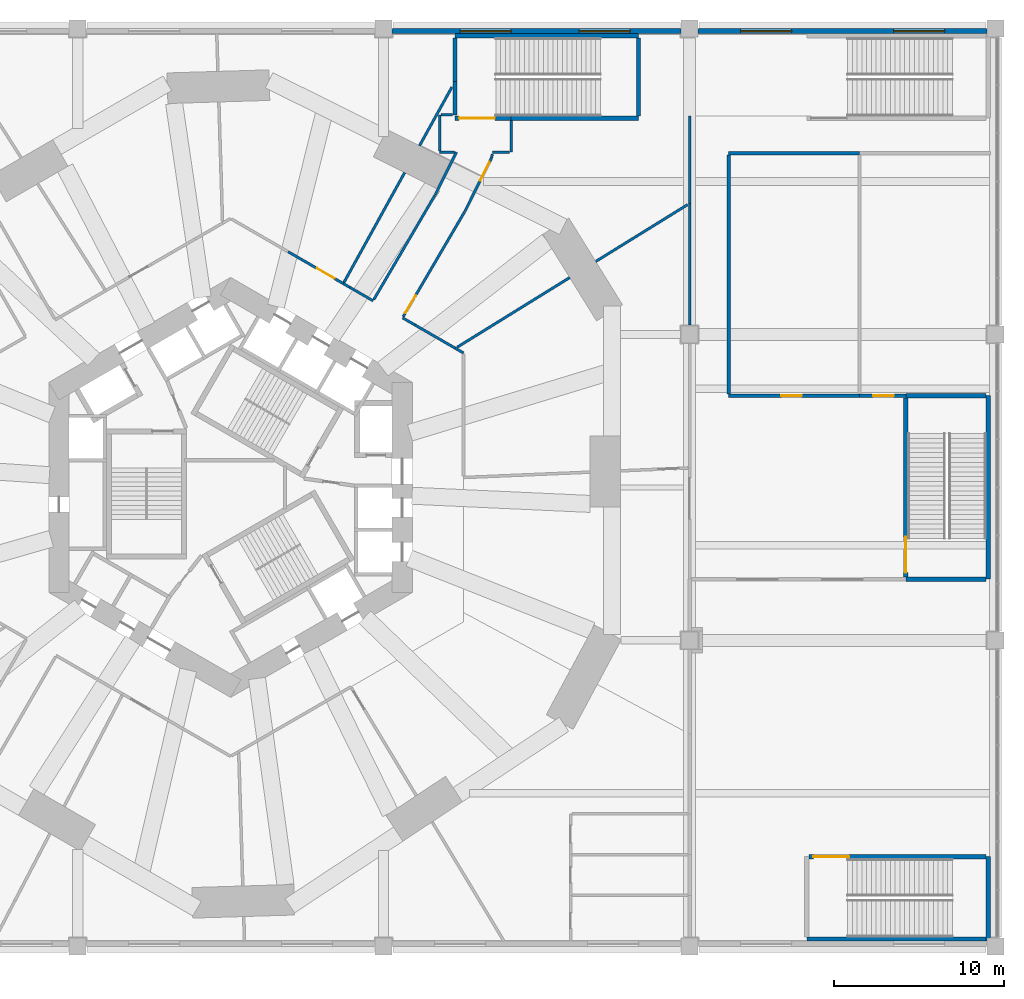
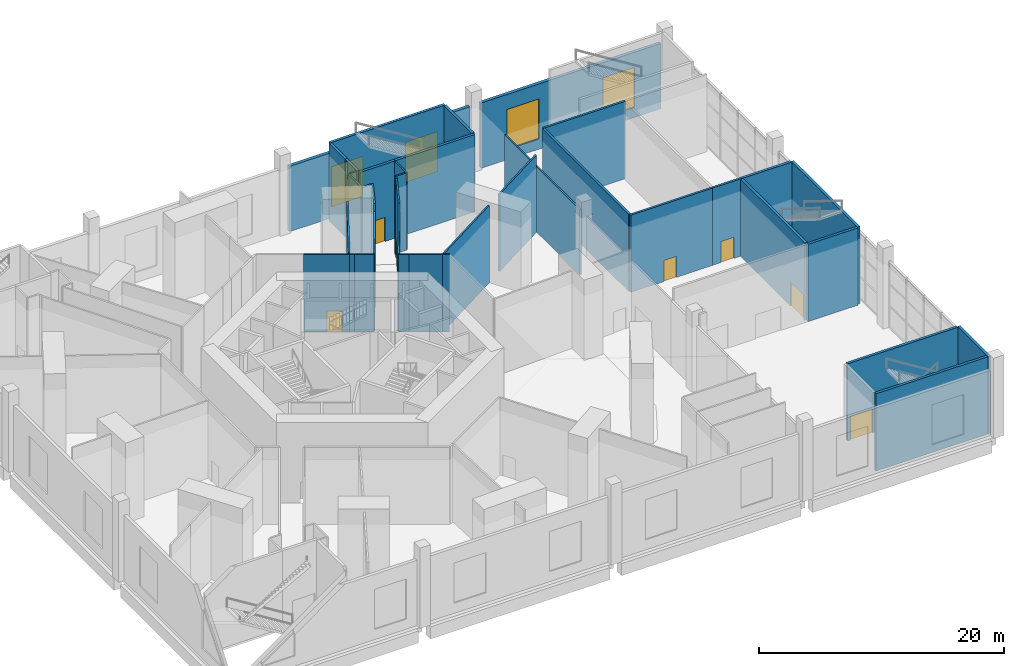
# One storey, part 10 of 15: 41 walls, 8 doors, 4 windows, 12 openings.
"""IFC4 building model written with IfcOpenShell, lengths in metres."""

from ifc_helpers import new_model, si_unit, direction, frame, frame_2d, origin, place, context, subcontext, project, spatial, rectangle, extrude, material, layer, layer_set, type_object, element, fill, save


model = new_model("IFC4")

# Units and contexts
model_context = context("Model", 3, precision=1e-05, world=origin(), true_north=direction((0.0, 1.0)))
body_context = subcontext(model_context, "Body", "Model", "MODEL_VIEW")
ifc_project = project(units=[si_unit("LENGTHUNIT", "METRE"), si_unit("AREAUNIT", "SQUARE_METRE"), si_unit("VOLUMEUNIT", "CUBIC_METRE"), si_unit("PLANEANGLEUNIT", "RADIAN"), si_unit("MASSUNIT", "GRAM", prefix="KILO")], contexts=[model_context])

# Site, building, storey
site_placement = place(None, origin())
site = spatial("IfcSite", under=ifc_project, at=site_placement, CompositionType="ELEMENT")
building_placement = place(site_placement, origin())
building = spatial("IfcBuilding", under=site, at=building_placement, Name="Vanh Sen Convention Tower", CompositionType="ELEMENT")
storey_placement = place(building_placement, frame((0.0, 0.0, 13.0)))
storey = spatial("IfcBuildingStorey", under=building, at=storey_placement, Name="L02", CompositionType="ELEMENT", Elevation=13.0)

# Wall, opening, door
ifc_material_1 = material(Name="Concrete C40/50", Category="concrete")
ifc_layer_1 = layer(ifc_material_1, 0.25)
ifc_layer_set_1 = layer_set([ifc_layer_1], Name="Concrete C40/50")
wall_type_1 = type_object("IfcWallType", Name="Concrete wall 250 REI 180", PredefinedType="SOLIDWALL", material=ifc_layer_set_1)
wall_1_placement = place(storey_placement, frame((34.0400390625, -21.72509765625, 0.0), z_axis=(0.0, 0.0, 1.0), x_axis=(1.0, 0.0, 0.0)))
wall_1 = element("IfcWall", 1, at=wall_1_placement, inside=storey, type_object=wall_type_1, Name="Fire-resisting wall L02-014", PredefinedType="SOLIDWALL", context=body_context, shape_type="SweptSolid", body=[
    extrude(rectangle(XDim=10.39990234375, YDim=0.25, at=frame_2d((5.199951171875, 0.0))), origin(), (0.0, 0.0, 1.0), 7.699951171875),
])
opening_1_placement = place(wall_1_placement, frame((0.25, 0.0, 0.0)))
opening_1 = element("IfcOpeningElement", 2, at=opening_1_placement, cuts=wall_1, Name="Opening D02104", PredefinedType="OPENING", context=body_context, shape_type="SweptSolid", body=[
    extrude(rectangle(XDim=2.10009765625, YDim=2.39990234375, at=frame_2d((1.050048828125, 1.199951171875))), frame((0.0, 0.135009765625, 0.0), z_axis=(0.0, -1.0, 0.0), x_axis=(1.0, 0.0, 0.0)), (0.0, 0.0, 1.0), 0.27001953125),
])
ifc_material_2 = material(Name="Steel S355", Category="steel")
door_type_1 = type_object("IfcDoorType", Name="Stair door 2100 EI 60", OperationType="DOUBLE_DOOR_SINGLE_SWING", PredefinedType="DOOR", material=ifc_material_2)
door_1_placement = place(opening_1_placement, frame((2.10009765625, 0.0, 0.0), z_axis=(0.0, 0.0, 1.0), x_axis=(-1.0, 0.0, 0.0)))
door_1 = element("IfcDoor", 3, at=door_1_placement, inside=storey, type_object=door_type_1, Name="Stair door D02104", OperationType="DOUBLE_DOOR_SINGLE_SWING", OverallHeight=2.39990234375, OverallWidth=2.10009765625, PredefinedType="DOOR", context=body_context, shape_type="SweptSolid", body=[
    extrude(rectangle(XDim=2.10009765625, YDim=2.39990234375, at=frame_2d((1.050048828125, 1.199951171875))), frame((0.0, 0.02490234375, 0.0), z_axis=(0.0, -1.0, 0.0), x_axis=(1.0, 0.0, 0.0)), (0.0, 0.0, 1.0), 0.050048828125),
])
fill(opening_1, door_1)

# Wall
wall_2_placement = place(storey_placement, frame((44.43994140625, -5.39990234375, 0.0), z_axis=(0.0, 0.0, 1.0), x_axis=(-1.0, 0.0, 0.0)))
element("IfcWall", 4, at=wall_2_placement, inside=storey, type_object=wall_type_1, Name="Fire-resisting wall L02-048", PredefinedType="SOLIDWALL", context=body_context, shape_type="SweptSolid", body=[
    extrude(rectangle(XDim=4.71484375, YDim=0.25, at=frame_2d((2.357421875, 0.0))), origin(), (0.0, 0.0, 1.0), 7.699951171875),
])

# Wall, opening, door
wall_3_placement = place(storey_placement, frame((39.72509765625, -5.260009765625, 0.0), z_axis=(0.0, 0.0, 1.0), x_axis=(0.0, 1.0, 0.0)))
wall_3 = element("IfcWall", 5, at=wall_3_placement, inside=storey, type_object=wall_type_1, Name="Fire-resisting wall L02-049", PredefinedType="SOLIDWALL", context=body_context, shape_type="SweptSolid", body=[
    extrude(rectangle(XDim=10.52001953125, YDim=0.25, at=frame_2d((5.260009765625, 0.0))), origin(), (0.0, 0.0, 1.0), 7.699951171875),
])
opening_2_placement = place(wall_3_placement, frame((0.25, 0.0, 0.0)))
opening_2 = element("IfcOpeningElement", 6, at=opening_2_placement, cuts=wall_3, Name="Opening D02114", PredefinedType="OPENING", context=body_context, shape_type="SweptSolid", body=[
    extrude(rectangle(XDim=2.10009765625, YDim=2.39990234375, at=frame_2d((1.050048828125, 1.199951171875))), frame((0.0, 0.135009765625, 0.0), z_axis=(0.0, -1.0, 0.0), x_axis=(1.0, 0.0, 0.0)), (0.0, 0.0, 1.0), 0.27001953125),
])
door_2_placement = place(opening_2_placement, frame((2.10009765625, 0.0, 0.0), z_axis=(0.0, 0.0, 1.0), x_axis=(-1.0, 0.0, 0.0)))
door_2 = element("IfcDoor", 7, at=door_2_placement, inside=storey, type_object=door_type_1, Name="Stair door D02114", OperationType="DOUBLE_DOOR_SINGLE_SWING", OverallHeight=2.39990234375, OverallWidth=2.10009765625, PredefinedType="DOOR", context=body_context, shape_type="SweptSolid", body=[
    extrude(rectangle(XDim=2.10009765625, YDim=2.39990234375, at=frame_2d((1.050048828125, 1.199951171875))), frame((0.0, 0.02490234375, 0.0), z_axis=(0.0, -1.0, 0.0), x_axis=(1.0, 0.0, 0.0)), (0.0, 0.0, 1.0), 0.050048828125),
])
fill(opening_2, door_2)

# Wall
wall_4_placement = place(storey_placement, frame((39.72509765625, 5.39990234375, 0.0), z_axis=(0.0, 0.0, 1.0), x_axis=(1.0, 0.0, 0.0)))
element("IfcWall", 8, at=wall_4_placement, inside=storey, type_object=wall_type_1, Name="Fire-resisting wall L02-058", PredefinedType="SOLIDWALL", context=body_context, shape_type="SweptSolid", body=[
    extrude(rectangle(XDim=4.71484375, YDim=0.25, at=frame_2d((2.357421875, 0.0))), origin(), (0.0, 0.0, 1.0), 7.699951171875),
])

# Wall, opening, door
wall_5_placement = place(storey_placement, frame((16.5, 21.72509765625, 0.0), z_axis=(0.0, 0.0, 1.0), x_axis=(-1.0, 0.0, 0.0)))
wall_5 = element("IfcWall", 9, at=wall_5_placement, inside=storey, type_object=wall_type_1, Name="Fire-resisting wall L02-108", PredefinedType="SOLIDWALL", context=body_context, shape_type="SweptSolid", body=[
    extrude(rectangle(XDim=3.300048828125, YDim=0.25, at=frame_2d((1.64990234375, 0.0))), origin(), (0.0, 0.0, 1.0), 7.699951171875),
])
opening_3_placement = place(wall_5_placement, frame((0.949951171875, 0.0, 0.0)))
opening_3 = element("IfcOpeningElement", 10, at=opening_3_placement, cuts=wall_5, Name="Opening D02125", PredefinedType="OPENING", context=body_context, shape_type="SweptSolid", body=[
    extrude(rectangle(XDim=2.10009765625, YDim=2.39990234375, at=frame_2d((1.050048828125, 1.199951171875))), frame((0.0, 0.135009765625, 0.0), z_axis=(0.0, -1.0, 0.0), x_axis=(1.0, 0.0, 0.0)), (0.0, 0.0, 1.0), 0.27001953125),
])
door_3_placement = place(opening_3_placement, frame((2.10009765625, 0.0, 0.0), z_axis=(0.0, 0.0, 1.0), x_axis=(-1.0, 0.0, 0.0)))
door_3 = element("IfcDoor", 11, at=door_3_placement, inside=storey, type_object=door_type_1, Name="Stair door D02125", OperationType="DOUBLE_DOOR_SINGLE_SWING", OverallHeight=2.39990234375, OverallWidth=2.10009765625, PredefinedType="DOOR", context=body_context, shape_type="SweptSolid", body=[
    extrude(rectangle(XDim=2.10009765625, YDim=2.39990234375, at=frame_2d((1.050048828125, 1.199951171875))), frame((0.0, 0.02490234375, 0.0), z_axis=(0.0, -1.0, 0.0), x_axis=(1.0, 0.0, 0.0)), (0.0, 0.0, 1.0), 0.050048828125),
])
fill(opening_3, door_3)

# Walls
wall_6_placement = place(storey_placement, frame((24.0, 21.72509765625, 0.0), z_axis=(0.0, 0.0, 1.0), x_axis=(-1.0, 0.0, 0.0)))
element("IfcWall", 12, at=wall_6_placement, inside=storey, type_object=wall_type_1, Name="Fire-resisting wall L02-109", PredefinedType="SOLIDWALL", context=body_context, shape_type="SweptSolid", body=[
    extrude(rectangle(XDim=7.5, YDim=0.25, at=frame_2d((3.75, 0.0))), origin(), (0.0, 0.0, 1.0), 7.699951171875),
])
wall_7_placement = place(storey_placement, frame((13.199951171875, 21.925048828125, 0.0), z_axis=(0.0, 0.0, 1.0), x_axis=(0.0, 1.0, 0.0)))
element("IfcWall", 13, at=wall_7_placement, inside=storey, type_object=wall_type_1, Name="Fire-resisting wall L02-114", PredefinedType="SOLIDWALL", context=body_context, shape_type="SweptSolid", body=[
    extrude(rectangle(XDim=1.953369140625, YDim=0.25, at=frame_2d((0.9765625, 0.0))), origin(), (0.0, 0.0, 1.0), 7.699951171875),
])
wall_8_placement = place(storey_placement, frame((13.199951171875, 23.87841796875, 0.0), z_axis=(0.0, 0.0, 1.0), x_axis=(0.0, 1.0, 0.0)))
element("IfcWall", 14, at=wall_8_placement, inside=storey, type_object=wall_type_1, Name="Fire-resisting wall L02-115", PredefinedType="SOLIDWALL", context=body_context, shape_type="SweptSolid", body=[
    extrude(rectangle(XDim=2.5615234375, YDim=0.25, at=frame_2d((1.28076171875, 0.0))), origin(), (0.0, 0.0, 1.0), 7.699951171875),
])
wall_9_placement = place(storey_placement, frame((24.0, 26.43994140625, 0.0), z_axis=(0.0, 0.0, 1.0), x_axis=(0.0, -1.0, 0.0)))
element("IfcWall", 15, at=wall_9_placement, inside=storey, type_object=wall_type_1, Name="Fire-resisting wall L02-119", PredefinedType="SOLIDWALL", context=body_context, shape_type="SweptSolid", body=[
    extrude(rectangle(XDim=4.574951171875, YDim=0.25, at=frame_2d((2.28759765625, 0.0))), origin(), (0.0, 0.0, 1.0), 7.699951171875),
])
wall_10_placement = place(storey_placement, frame((44.574951171875, -21.72509765625, 0.0), z_axis=(0.0, 0.0, 1.0), x_axis=(0.0, -1.0, 0.0)))
element("IfcWall", 16, at=wall_10_placement, inside=storey, type_object=wall_type_1, Name="Stair enclosure wall PS2 L02", PredefinedType="SOLIDWALL", context=body_context, shape_type="SweptSolid", body=[
    extrude(rectangle(XDim=4.974853515625, YDim=0.25, at=frame_2d((2.4873046875, 0.0))), origin(), (0.0, 0.0, 1.0), 7.699951171875),
])
wall_11_placement = place(storey_placement, frame((44.449951171875, -26.574951171875, 0.0), z_axis=(0.0, 0.0, 1.0), x_axis=(-1.0, 0.0, 0.0)))
element("IfcWall", 17, at=wall_11_placement, inside=storey, type_object=wall_type_1, Name="Stair enclosure wall PS2 L02", PredefinedType="SOLIDWALL", context=body_context, shape_type="SweptSolid", body=[
    extrude(rectangle(XDim=10.550048828125, YDim=0.25, at=frame_2d((5.27490234375, 0.0))), origin(), (0.0, 0.0, 1.0), 7.699951171875),
])
wall_12_placement = place(storey_placement, frame((44.574951171875, 5.39990234375, 0.0), z_axis=(0.0, 0.0, 1.0), x_axis=(0.0, -1.0, 0.0)))
element("IfcWall", 18, at=wall_12_placement, inside=storey, type_object=wall_type_1, Name="Stair enclosure wall PS3 L02", PredefinedType="SOLIDWALL", context=body_context, shape_type="SweptSolid", body=[
    extrude(rectangle(XDim=10.7998046875, YDim=0.25, at=frame_2d((5.39990234375, 0.0))), origin(), (0.0, 0.0, 1.0), 7.699951171875),
])
wall_13_placement = place(storey_placement, frame((24.0, 26.574951171875, 0.0), z_axis=(0.0, 0.0, 1.0), x_axis=(-1.0, 0.0, 0.0)))
element("IfcWall", 19, at=wall_13_placement, inside=storey, type_object=wall_type_1, Name="Stair enclosure wall PS4 L02", PredefinedType="SOLIDWALL", context=body_context, shape_type="SweptSolid", body=[
    extrude(rectangle(XDim=10.800048828125, YDim=0.25, at=frame_2d((5.39990234375, 0.0))), origin(), (0.0, 0.0, 1.0), 7.699951171875),
])
ifc_material_3 = material(Name="Acoustic operable panels on an overhead track", Category="gypsum")
ifc_layer_2 = layer(ifc_material_3, 0.14990234375)
ifc_layer_set_2 = layer_set([ifc_layer_2], Name="Acoustic operable panels on an overhead track")
wall_type_2 = type_object("IfcWallType", Name="Operable partition 150 EI 60", PredefinedType="MOVABLE", material=ifc_layer_set_2)
wall_14_placement = place(storey_placement, frame((19.948974609375, 12.344970703125, 0.0), z_axis=(0.0, 0.0, 1.0), x_axis=(-0.850341306025, -0.526231568102, 0.0)))
element("IfcWall", 20, at=wall_14_placement, inside=storey, type_object=wall_type_2, Name="Operable partition L02-077", PredefinedType="MOVABLE", context=body_context, shape_type="SweptSolid", body=[
    extrude(rectangle(XDim=7.787353515625, YDim=0.14990234375, at=frame_2d((3.8935546875, 0.0))), origin(), (0.0, 0.0, 1.0), 7.699951171875),
])
ifc_material_4 = material(Name="Gypsum board on steel studs", Category="steel")
ifc_layer_3 = layer(ifc_material_4, 0.14990234375)
ifc_layer_set_3 = layer_set([ifc_layer_3], Name="Gypsum board on steel studs")
wall_type_3 = type_object("IfcWallType", Name="Partition 150 EI 60", PredefinedType="PARTITIONING", material=ifc_layer_set_3)
wall_15_placement = place(storey_placement, frame((13.699951171875, 7.909423828125, 0.0), z_axis=(0.0, 0.0, 1.0), x_axis=(-0.865629350875, 0.50068535719, 0.0)))
element("IfcWall", 21, at=wall_15_placement, inside=storey, type_object=wall_type_3, Name="Partition L02-062", PredefinedType="PARTITIONING", context=body_context, shape_type="SweptSolid", body=[
    extrude(rectangle(XDim=0.548583984375, YDim=0.14990234375, at=frame_2d((0.2744140625, 0.0))), origin(), (0.0, 0.0, 1.0), 7.699951171875),
])
wall_16_placement = place(storey_placement, frame((27.0, 9.550048828125, 0.0), z_axis=(0.0, 0.0, 1.0), x_axis=(0.0, 1.0, 0.0)))
element("IfcWall", 22, at=wall_16_placement, inside=storey, type_object=wall_type_3, Name="Partition L02-065", PredefinedType="PARTITIONING", context=body_context, shape_type="SweptSolid", body=[
    extrude(rectangle(XDim=7.157958984375, YDim=0.14990234375, at=frame_2d((3.5791015625, 0.0))), origin(), (0.0, 0.0, 1.0), 6.5),
])
wall_17_placement = place(storey_placement, frame((10.83349609375, 9.564453125, 0.0), z_axis=(0.0, 0.0, 1.0), x_axis=(0.866091368387, -0.499885728548, 0.0)))
element("IfcWall", 23, at=wall_17_placement, inside=storey, type_object=wall_type_3, Name="Partition L02-066", PredefinedType="PARTITIONING", context=body_context, shape_type="SweptSolid", body=[
    extrude(rectangle(XDim=2.761474609375, YDim=0.14990234375, at=frame_2d((1.380859375, 0.0))), origin(), (0.0, 0.0, 1.0), 7.699951171875),
])
wall_18_placement = place(storey_placement, frame((10.113525390625, 9.98046875, 0.0), z_axis=(0.0, 0.0, 1.0), x_axis=(0.865848115047, -0.500306947453, 0.0)))
element("IfcWall", 24, at=wall_18_placement, inside=storey, type_object=wall_type_3, Name="Partition L02-068", PredefinedType="PARTITIONING", context=body_context, shape_type="SweptSolid", body=[
    extrude(rectangle(XDim=0.83154296875, YDim=0.14990234375, at=frame_2d((0.415771484375, 0.0))), origin(), (0.0, 0.0, 1.0), 7.699951171875),
])
wall_19_placement = place(storey_placement, frame((8.421875, 11.049560546875, 0.0), z_axis=(0.0, 0.0, 1.0), x_axis=(0.50561651199, 0.862758333952, 0.0)))
element("IfcWall", 25, at=wall_19_placement, inside=storey, type_object=wall_type_3, Name="Partition L02-069", PredefinedType="PARTITIONING", context=body_context, shape_type="SweptSolid", body=[
    extrude(rectangle(XDim=7.1181640625, YDim=0.14990234375, at=frame_2d((3.55908203125, 0.0))), origin(), (0.0, 0.0, 1.0), 6.89990234375),
])
wall_20_placement = place(storey_placement, frame((6.9951171875, 11.78076171875, 0.0), z_axis=(0.0, 0.0, 1.0), x_axis=(0.866076391369, -0.499911676512, 0.0)))
element("IfcWall", 26, at=wall_20_placement, inside=storey, type_object=wall_type_3, Name="Partition L02-072", PredefinedType="PARTITIONING", context=body_context, shape_type="SweptSolid", body=[
    extrude(rectangle(XDim=1.600830078125, YDim=0.14990234375, at=frame_2d((0.80029296875, 0.0))), origin(), (0.0, 0.0, 1.0), 7.699951171875),
])
wall_21_placement = place(storey_placement, frame((6.9951171875, 11.78076171875, 0.0), z_axis=(0.0, 0.0, 1.0), x_axis=(-0.866281716711, 0.49955578997, 0.0)))
element("IfcWall", 27, at=wall_21_placement, inside=storey, type_object=wall_type_3, Name="Partition L02-073", PredefinedType="PARTITIONING", context=body_context, shape_type="SweptSolid", body=[
    extrude(rectangle(XDim=0.4228515625, YDim=0.14990234375, at=frame_2d((0.21142578125, 0.0))), origin(), (0.0, 0.0, 1.0), 7.699951171875),
])

# Wall, opening, door
wall_22_placement = place(storey_placement, frame((6.62890625, 11.991943359375, 0.0), z_axis=(0.0, 0.0, 1.0), x_axis=(-0.86599558016, 0.500051652475, 0.0)))
wall_22 = element("IfcWall", 28, at=wall_22_placement, inside=storey, type_object=wall_type_3, Name="Partition L02-075", PredefinedType="PARTITIONING", context=body_context, shape_type="SweptSolid", body=[
    extrude(rectangle(XDim=3.74462890625, YDim=0.14990234375, at=frame_2d((1.872314453125, 0.0))), origin(), (0.0, 0.0, 1.0), 7.699951171875),
])
opening_4_placement = place(wall_22_placement, frame((0.60009765625, 0.0, 0.0)))
opening_4 = element("IfcOpeningElement", 29, at=opening_4_placement, cuts=wall_22, Name="Opening D02120", PredefinedType="OPENING", context=body_context, shape_type="SweptSolid", body=[
    extrude(rectangle(XDim=1.199951171875, YDim=2.10009765625, at=frame_2d((0.60009765625, 1.050048828125))), frame((0.0, 0.0849609375, 0.0), z_axis=(0.0, -1.0, 0.0), x_axis=(1.0, 0.0, 0.0)), (0.0, 0.0, 1.0), 0.169921875),
])
ifc_material_5 = material(Name="Timber door in steel frame", Category="steel")
door_type_2 = type_object("IfcDoorType", Name="Room door 1200 EI 30", OperationType="SINGLE_SWING_LEFT", PredefinedType="DOOR", material=ifc_material_5)
door_4_placement = place(opening_4_placement, origin())
door_4 = element("IfcDoor", 30, at=door_4_placement, inside=storey, type_object=door_type_2, Name="Room door D02120", OperationType="SINGLE_SWING_LEFT", OverallHeight=2.10009765625, OverallWidth=1.199951171875, PredefinedType="DOOR", context=body_context, shape_type="SweptSolid", body=[
    extrude(rectangle(XDim=1.199951171875, YDim=2.10009765625, at=frame_2d((0.60009765625, 1.050048828125))), frame((0.0, 0.02490234375, 0.0), z_axis=(0.0, -1.0, 0.0), x_axis=(1.0, 0.0, 0.0)), (0.0, 0.0, 1.0), 0.050048828125),
])
fill(opening_4, door_4)

# Walls
wall_23_placement = place(storey_placement, frame((6.667724609375, 12.06201171875, 0.0), z_axis=(0.0, 0.0, 1.0), x_axis=(0.483795376692, 0.875181143245, 0.0)))
element("IfcWall", 31, at=wall_23_placement, inside=storey, type_object=wall_type_3, Name="Partition L02-076", PredefinedType="PARTITIONING", context=body_context, shape_type="SweptSolid", body=[
    extrude(rectangle(XDim=7.386962890625, YDim=0.14990234375, at=frame_2d((3.693359375, 0.0))), origin(), (0.0, 0.0, 1.0), 7.699951171875),
])
wall_24_placement = place(storey_placement, frame((21.4794921875, 13.2919921875, 0.0), z_axis=(0.0, 0.0, 1.0), x_axis=(0.850365065786, 0.5261931726, 0.0)))
element("IfcWall", 32, at=wall_24_placement, inside=storey, type_object=wall_type_3, Name="Partition L02-078", PredefinedType="PARTITIONING", context=body_context, shape_type="SweptSolid", body=[
    extrude(rectangle(XDim=6.351806640625, YDim=0.14990234375, at=frame_2d((3.17578125, 0.0))), origin(), (0.0, 0.0, 1.0), 7.699951171875),
])

# Wall, opening, door
wall_25_placement = place(storey_placement, frame((13.77197265625, 16.22412109375, 0.0), z_axis=(0.0, 0.0, 1.0), x_axis=(-0.505547889018, -0.862798546539, 0.0)))
wall_25 = element("IfcWall", 33, at=wall_25_placement, inside=storey, type_object=wall_type_3, Name="Partition L02-084", PredefinedType="PARTITIONING", context=body_context, shape_type="SweptSolid", body=[
    extrude(rectangle(XDim=7.156494140625, YDim=0.14990234375, at=frame_2d((3.578125, 0.0))), origin(), (0.0, 0.0, 1.0), 7.699951171875),
])
opening_5_placement = place(wall_25_placement, frame((5.706298828125, 0.0, 0.0)))
opening_5 = element("IfcOpeningElement", 34, at=opening_5_placement, cuts=wall_25, Name="Opening D02121", PredefinedType="OPENING", context=body_context, shape_type="SweptSolid", body=[
    extrude(rectangle(XDim=1.199951171875, YDim=2.10009765625, at=frame_2d((0.60009765625, 1.050048828125))), frame((0.0, 0.0849609375, 0.0), z_axis=(0.0, -1.0, 0.0), x_axis=(1.0, 0.0, 0.0)), (0.0, 0.0, 1.0), 0.169921875),
])
door_5_placement = place(opening_5_placement, origin())
door_5 = element("IfcDoor", 35, at=door_5_placement, inside=storey, type_object=door_type_2, Name="Room door D02121", OperationType="SINGLE_SWING_LEFT", OverallHeight=2.10009765625, OverallWidth=1.199951171875, PredefinedType="DOOR", context=body_context, shape_type="SweptSolid", body=[
    extrude(rectangle(XDim=1.199951171875, YDim=2.10009765625, at=frame_2d((0.60009765625, 1.050048828125))), frame((0.0, 0.02490234375, 0.0), z_axis=(0.0, -1.0, 0.0), x_axis=(1.0, 0.0, 0.0)), (0.0, 0.0, 1.0), 0.050048828125),
])
fill(opening_5, door_5)

# Walls
wall_26_placement = place(storey_placement, frame((27.0, 16.7080078125, 0.0), z_axis=(0.0, 0.0, 1.0), x_axis=(0.0, 1.0, 0.0)))
element("IfcWall", 36, at=wall_26_placement, inside=storey, type_object=wall_type_3, Name="Partition L02-085", PredefinedType="PARTITIONING", context=body_context, shape_type="SweptSolid", body=[
    extrude(rectangle(XDim=5.14208984375, YDim=0.14990234375, at=frame_2d((2.571044921875, 0.0))), origin(), (0.0, 0.0, 1.0), 6.5),
])
wall_27_placement = place(storey_placement, frame((12.030029296875, 17.208984375, 0.0), z_axis=(0.0, 0.0, 1.0), x_axis=(0.445753790741, 0.89515560549, 0.0)))
element("IfcWall", 37, at=wall_27_placement, inside=storey, type_object=wall_type_3, Name="Partition L02-086", PredefinedType="PARTITIONING", context=body_context, shape_type="SweptSolid", body=[
    extrude(rectangle(XDim=2.810791015625, YDim=0.14990234375, at=frame_2d((1.4052734375, 0.0))), origin(), (0.0, 0.0, 1.0), 7.699951171875),
])

# Wall, opening, door
wall_28_placement = place(storey_placement, frame((15.338134765625, 19.364990234375, 0.0), z_axis=(0.0, 0.0, 1.0), x_axis=(-0.44583629063, -0.895114518906, 0.0)))
wall_28 = element("IfcWall", 38, at=wall_28_placement, inside=storey, type_object=wall_type_3, Name="Partition L02-090", PredefinedType="PARTITIONING", context=body_context, shape_type="SweptSolid", body=[
    extrude(rectangle(XDim=3.4755859375, YDim=0.14990234375, at=frame_2d((1.73779296875, 0.0))), origin(), (0.0, 0.0, 1.0), 7.699951171875),
])
opening_6_placement = place(wall_28_placement, frame((0.25, 0.0, 0.0)))
opening_6 = element("IfcOpeningElement", 39, at=opening_6_placement, cuts=wall_28, Name="Opening D02122", PredefinedType="OPENING", context=body_context, shape_type="SweptSolid", body=[
    extrude(rectangle(XDim=1.199951171875, YDim=2.10009765625, at=frame_2d((0.60009765625, 1.050048828125))), frame((0.0, 0.0849609375, 0.0), z_axis=(0.0, -1.0, 0.0), x_axis=(1.0, 0.0, 0.0)), (0.0, 0.0, 1.0), 0.169921875),
])
door_6_placement = place(opening_6_placement, origin())
door_6 = element("IfcDoor", 40, at=door_6_placement, inside=storey, type_object=door_type_2, Name="Room door D02122", OperationType="SINGLE_SWING_LEFT", OverallHeight=2.10009765625, OverallWidth=1.199951171875, PredefinedType="DOOR", context=body_context, shape_type="SweptSolid", body=[
    extrude(rectangle(XDim=1.199951171875, YDim=2.10009765625, at=frame_2d((0.60009765625, 1.050048828125))), frame((0.0, 0.02490234375, 0.0), z_axis=(0.0, -1.0, 0.0), x_axis=(1.0, 0.0, 0.0)), (0.0, 0.0, 1.0), 0.050048828125),
])
fill(opening_6, door_6)

# Walls
wall_29_placement = place(storey_placement, frame((15.39990234375, 19.60888671875, 0.0), z_axis=(0.0, 0.0, 1.0), x_axis=(-0.228393975948, -0.973568791484, 0.0)))
element("IfcWall", 41, at=wall_29_placement, inside=storey, type_object=wall_type_3, Name="Partition L02-094", PredefinedType="PARTITIONING", context=body_context, shape_type="SweptSolid", body=[
    extrude(rectangle(XDim=0.23193359375, YDim=0.14990234375, at=frame_2d((0.115966796875, 0.0))), origin(), (0.0, 0.0, 1.0), 7.699951171875),
])
wall_30_placement = place(storey_placement, frame((13.1630859375, 19.72509765625, 0.0), z_axis=(0.0, 0.0, 1.0), x_axis=(-1.0, 0.0, 0.0)))
element("IfcWall", 42, at=wall_30_placement, inside=storey, type_object=wall_type_3, Name="Partition L02-100", PredefinedType="PARTITIONING", context=body_context, shape_type="SweptSolid", body=[
    extrude(rectangle(XDim=0.863037109375, YDim=0.14990234375, at=frame_2d((0.431640625, 0.0))), origin(), (0.0, 0.0, 1.0), 7.699951171875),
])
wall_31_placement = place(storey_placement, frame((16.419921875, 19.72509765625, 0.0), z_axis=(0.0, 0.0, 1.0), x_axis=(-1.0, 0.0, 0.0)))
element("IfcWall", 43, at=wall_31_placement, inside=storey, type_object=wall_type_3, Name="Partition L02-101", PredefinedType="PARTITIONING", context=body_context, shape_type="SweptSolid", body=[
    extrude(rectangle(XDim=1.02001953125, YDim=0.14990234375, at=frame_2d((0.510009765625, 0.0))), origin(), (0.0, 0.0, 1.0), 7.699951171875),
])
wall_32_placement = place(storey_placement, frame((12.300048828125, 19.804931640625, 0.0), z_axis=(0.0, 0.0, 1.0), x_axis=(0.0, 1.0, 0.0)))
element("IfcWall", 44, at=wall_32_placement, inside=storey, type_object=wall_type_3, Name="Partition L02-103", PredefinedType="PARTITIONING", context=body_context, shape_type="SweptSolid", body=[
    extrude(rectangle(XDim=2.1201171875, YDim=0.14990234375, at=frame_2d((1.06005859375, 0.0))), origin(), (0.0, 0.0, 1.0), 7.699951171875),
])
wall_33_placement = place(storey_placement, frame((11.113037109375, 20.103515625, 0.0), z_axis=(0.0, 0.0, 1.0), x_axis=(0.483823742959, 0.875165461927, 0.0)))
element("IfcWall", 45, at=wall_33_placement, inside=storey, type_object=wall_type_3, Name="Partition L02-104", PredefinedType="PARTITIONING", context=body_context, shape_type="SweptSolid", body=[
    extrude(rectangle(XDim=3.933349609375, YDim=0.14990234375, at=frame_2d((1.966796875, 0.0))), origin(), (0.0, 0.0, 1.0), 7.699951171875),
])
wall_34_placement = place(storey_placement, frame((16.5, 21.5849609375, 0.0), z_axis=(0.0, 0.0, 1.0), x_axis=(0.0, -1.0, 0.0)))
element("IfcWall", 46, at=wall_34_placement, inside=storey, type_object=wall_type_3, Name="Partition L02-105", PredefinedType="PARTITIONING", context=body_context, shape_type="SweptSolid", body=[
    extrude(rectangle(XDim=1.85986328125, YDim=0.14990234375, at=frame_2d((0.929931640625, 0.0))), origin(), (0.0, 0.0, 1.0), 7.699951171875),
])
wall_35_placement = place(storey_placement, frame((12.3798828125, 21.925048828125, 0.0), z_axis=(0.0, 0.0, 1.0), x_axis=(1.0, 0.0, 0.0)))
element("IfcWall", 47, at=wall_35_placement, inside=storey, type_object=wall_type_3, Name="Partition L02-113", PredefinedType="PARTITIONING", context=body_context, shape_type="SweptSolid", body=[
    extrude(rectangle(XDim=0.68017578125, YDim=0.14990234375, at=frame_2d((0.340087890625, 0.0))), origin(), (0.0, 0.0, 1.0), 7.699951171875),
])

# Wall, opening, door
ifc_material_6 = material(Name="Concrete C20/25", Category="concrete")
ifc_layer_4 = layer(ifc_material_6, 0.199951171875)
ifc_layer_set_4 = layer_set([ifc_layer_4], Name="Concrete C20/25")
wall_type_4 = type_object("IfcWallType", Name="Partition 200 EI 120", PredefinedType="PARTITIONING", material=ifc_layer_set_4)
wall_36_placement = place(storey_placement, frame((29.300048828125, 5.39990234375, 0.0), z_axis=(0.0, 0.0, 1.0), x_axis=(1.0, 0.0, 0.0)))
wall_36 = element("IfcWall", 48, at=wall_36_placement, inside=storey, type_object=wall_type_4, Name="Partition L02-056", PredefinedType="PARTITIONING", context=body_context, shape_type="SweptSolid", body=[
    extrude(rectangle(XDim=7.699951171875, YDim=0.199951171875, at=frame_2d((3.85009765625, 0.0))), origin(), (0.0, 0.0, 1.0), 7.699951171875),
])
opening_7_placement = place(wall_36_placement, frame((3.10009765625, 0.0, 0.0)))
opening_7 = element("IfcOpeningElement", 49, at=opening_7_placement, cuts=wall_36, Name="Opening D02117", PredefinedType="OPENING", context=body_context, shape_type="SweptSolid", body=[
    extrude(rectangle(XDim=1.199951171875, YDim=2.10009765625, at=frame_2d((0.60009765625, 1.050048828125))), frame((0.0, 0.10986328125, 0.0), z_axis=(0.0, -1.0, 0.0), x_axis=(1.0, 0.0, 0.0)), (0.0, 0.0, 1.0), 0.219970703125),
])
door_type_3 = type_object("IfcDoorType", Name="Room door 1200 EI 60", OperationType="SINGLE_SWING_LEFT", PredefinedType="DOOR", material=ifc_material_5)
door_7_placement = place(opening_7_placement, origin())
door_7 = element("IfcDoor", 50, at=door_7_placement, inside=storey, type_object=door_type_3, Name="Room door D02117", OperationType="SINGLE_SWING_LEFT", OverallHeight=2.10009765625, OverallWidth=1.199951171875, PredefinedType="DOOR", context=body_context, shape_type="SweptSolid", body=[
    extrude(rectangle(XDim=1.199951171875, YDim=2.10009765625, at=frame_2d((0.60009765625, 1.050048828125))), frame((0.0, 0.02490234375, 0.0), z_axis=(0.0, -1.0, 0.0), x_axis=(1.0, 0.0, 0.0)), (0.0, 0.0, 1.0), 0.050048828125),
])
fill(opening_7, door_7)

wall_37_placement = place(storey_placement, frame((37.0, 5.39990234375, 0.0), z_axis=(0.0, 0.0, 1.0), x_axis=(1.0, 0.0, 0.0)))
wall_37 = element("IfcWall", 51, at=wall_37_placement, inside=storey, type_object=wall_type_4, Name="Partition L02-057", PredefinedType="PARTITIONING", context=body_context, shape_type="SweptSolid", body=[
    extrude(rectangle(XDim=2.72509765625, YDim=0.199951171875, at=frame_2d((1.362548828125, 0.0))), origin(), (0.0, 0.0, 1.0), 7.699951171875),
])
opening_8_placement = place(wall_37_placement, frame((0.800048828125, 0.0, 0.0)))
opening_8 = element("IfcOpeningElement", 52, at=opening_8_placement, cuts=wall_37, Name="Opening D02118", PredefinedType="OPENING", context=body_context, shape_type="SweptSolid", body=[
    extrude(rectangle(XDim=1.199951171875, YDim=2.10009765625, at=frame_2d((0.60009765625, 1.050048828125))), frame((0.0, 0.10986328125, 0.0), z_axis=(0.0, -1.0, 0.0), x_axis=(1.0, 0.0, 0.0)), (0.0, 0.0, 1.0), 0.219970703125),
])
door_8_placement = place(opening_8_placement, origin())
door_8 = element("IfcDoor", 53, at=door_8_placement, inside=storey, type_object=door_type_3, Name="Room door D02118", OperationType="SINGLE_SWING_LEFT", OverallHeight=2.10009765625, OverallWidth=1.199951171875, PredefinedType="DOOR", context=body_context, shape_type="SweptSolid", body=[
    extrude(rectangle(XDim=1.199951171875, YDim=2.10009765625, at=frame_2d((0.60009765625, 1.050048828125))), frame((0.0, 0.02490234375, 0.0), z_axis=(0.0, -1.0, 0.0), x_axis=(1.0, 0.0, 0.0)), (0.0, 0.0, 1.0), 0.050048828125),
])
fill(opening_8, door_8)

# Walls
wall_38_placement = place(storey_placement, frame((29.300048828125, 19.550048828125, 0.0), z_axis=(0.0, 0.0, 1.0), x_axis=(0.0, -1.0, 0.0)))
element("IfcWall", 54, at=wall_38_placement, inside=storey, type_object=wall_type_4, Name="Partition L02-092", PredefinedType="PARTITIONING", context=body_context, shape_type="SweptSolid", body=[
    extrude(rectangle(XDim=14.050048828125, YDim=0.199951171875, at=frame_2d((7.02490234375, 0.0))), origin(), (0.0, 0.0, 1.0), 7.699951171875),
])
wall_39_placement = place(storey_placement, frame((37.0, 19.64990234375, 0.0), z_axis=(0.0, 0.0, 1.0), x_axis=(-1.0, 0.0, 0.0)))
element("IfcWall", 55, at=wall_39_placement, inside=storey, type_object=wall_type_4, Name="Partition L02-096", PredefinedType="PARTITIONING", context=body_context, shape_type="SweptSolid", body=[
    extrude(rectangle(XDim=7.699951171875, YDim=0.199951171875, at=frame_2d((3.85009765625, 0.0))), origin(), (0.0, 0.0, 1.0), 7.699951171875),
])

# Wall, openings, windows
ifc_material_7 = material(Name="Concrete C50/60", Category="concrete")
ifc_layer_5 = layer(ifc_material_7, 0.300048828125)
ifc_layer_set_5 = layer_set([ifc_layer_5], Name="Concrete C50/60")
wall_type_5 = type_object("IfcWallType", Name="Podium wall 300", PredefinedType="STANDARD", material=ifc_layer_set_5)
wall_40_placement = place(storey_placement, frame((44.5, 26.85009765625, 0.0), z_axis=(0.0, 0.0, 1.0), x_axis=(-1.0, 0.0, 0.0)))
wall_40 = element("IfcWall", 56, at=wall_40_placement, inside=storey, type_object=wall_type_5, Name="Podium wall N1 L02", PredefinedType="STANDARD", context=body_context, shape_type="SweptSolid", body=[
    extrude(rectangle(XDim=17.0, YDim=0.300048828125, at=frame_2d((8.5, 0.0))), origin(), (0.0, 0.0, 1.0), 6.5),
])
opening_9_placement = place(wall_40_placement, frame((2.5, 0.0, 1.0)))
opening_9 = element("IfcOpeningElement", 57, at=opening_9_placement, cuts=wall_40, Name="Opening WP3-N1", PredefinedType="OPENING", context=body_context, shape_type="SweptSolid", body=[
    extrude(rectangle(XDim=3.0, YDim=4.0, at=frame_2d((1.5, 2.0))), frame((0.0, 0.159912109375, 0.0), z_axis=(0.0, -1.0, 0.0), x_axis=(1.0, 0.0, 0.0)), (0.0, 0.0, 1.0), 0.320068359375),
])
opening_10_placement = place(wall_40_placement, frame((11.5, 0.0, 1.0)))
opening_10 = element("IfcOpeningElement", 58, at=opening_10_placement, cuts=wall_40, Name="Opening WP3-N2", PredefinedType="OPENING", context=body_context, shape_type="SweptSolid", body=[
    extrude(rectangle(XDim=3.0, YDim=4.0, at=frame_2d((1.5, 2.0))), frame((0.0, 0.159912109375, 0.0), z_axis=(0.0, -1.0, 0.0), x_axis=(1.0, 0.0, 0.0)), (0.0, 0.0, 1.0), 0.320068359375),
])
ifc_material_8 = material(Name="Aluminium frame with clear low-emissivity glass", Category="aluminium")
window_type = type_object("IfcWindowType", Name="Podium window 3000 x 4000", PartitioningType="SINGLE_PANEL", PredefinedType="WINDOW", material=ifc_material_8)
window_1_placement = place(opening_9_placement, origin())
window_1 = element("IfcWindow", 59, at=window_1_placement, inside=storey, type_object=window_type, Name="Window WP3-N1", OverallHeight=4.0, OverallWidth=3.0, PartitioningType="SINGLE_PANEL", PredefinedType="WINDOW", context=body_context, shape_type="SweptSolid", body=[
    extrude(rectangle(XDim=3.0, YDim=4.0, at=frame_2d((1.5, 2.0))), frame((0.0, 0.030029296875, 0.0), z_axis=(0.0, -1.0, 0.0), x_axis=(1.0, 0.0, 0.0)), (0.0, 0.0, 1.0), 0.06005859375),
])
fill(opening_9, window_1)
window_2_placement = place(opening_10_placement, origin())
window_2 = element("IfcWindow", 60, at=window_2_placement, inside=storey, type_object=window_type, Name="Window WP3-N2", OverallHeight=4.0, OverallWidth=3.0, PartitioningType="SINGLE_PANEL", PredefinedType="WINDOW", context=body_context, shape_type="SweptSolid", body=[
    extrude(rectangle(XDim=3.0, YDim=4.0, at=frame_2d((1.5, 2.0))), frame((0.0, 0.030029296875, 0.0), z_axis=(0.0, -1.0, 0.0), x_axis=(1.0, 0.0, 0.0)), (0.0, 0.0, 1.0), 0.06005859375),
])
fill(opening_10, window_2)

wall_41_placement = place(storey_placement, frame((26.5, 26.85009765625, 0.0), z_axis=(0.0, 0.0, 1.0), x_axis=(-1.0, 0.0, 0.0)))
wall_41 = element("IfcWall", 61, at=wall_41_placement, inside=storey, type_object=wall_type_5, Name="Podium wall N2 L02", PredefinedType="STANDARD", context=body_context, shape_type="SweptSolid", body=[
    extrude(rectangle(XDim=17.0, YDim=0.300048828125, at=frame_2d((8.5, 0.0))), origin(), (0.0, 0.0, 1.0), 6.5),
])
opening_11_placement = place(wall_41_placement, frame((3.0, 0.0, 1.0)))
opening_11 = element("IfcOpeningElement", 62, at=opening_11_placement, cuts=wall_41, Name="Opening WP3-N3", PredefinedType="OPENING", context=body_context, shape_type="SweptSolid", body=[
    extrude(rectangle(XDim=3.0, YDim=4.0, at=frame_2d((1.5, 2.0))), frame((0.0, 0.159912109375, 0.0), z_axis=(0.0, -1.0, 0.0), x_axis=(1.0, 0.0, 0.0)), (0.0, 0.0, 1.0), 0.320068359375),
])
opening_12_placement = place(wall_41_placement, frame((10.0, 0.0, 1.0)))
opening_12 = element("IfcOpeningElement", 63, at=opening_12_placement, cuts=wall_41, Name="Opening WP3-N4", PredefinedType="OPENING", context=body_context, shape_type="SweptSolid", body=[
    extrude(rectangle(XDim=3.0, YDim=4.0, at=frame_2d((1.5, 2.0))), frame((0.0, 0.159912109375, 0.0), z_axis=(0.0, -1.0, 0.0), x_axis=(1.0, 0.0, 0.0)), (0.0, 0.0, 1.0), 0.320068359375),
])
window_3_placement = place(opening_11_placement, origin())
window_3 = element("IfcWindow", 64, at=window_3_placement, inside=storey, type_object=window_type, Name="Window WP3-N3", OverallHeight=4.0, OverallWidth=3.0, PartitioningType="SINGLE_PANEL", PredefinedType="WINDOW", context=body_context, shape_type="SweptSolid", body=[
    extrude(rectangle(XDim=3.0, YDim=4.0, at=frame_2d((1.5, 2.0))), frame((0.0, 0.030029296875, 0.0), z_axis=(0.0, -1.0, 0.0), x_axis=(1.0, 0.0, 0.0)), (0.0, 0.0, 1.0), 0.06005859375),
])
fill(opening_11, window_3)
window_4_placement = place(opening_12_placement, origin())
window_4 = element("IfcWindow", 65, at=window_4_placement, inside=storey, type_object=window_type, Name="Window WP3-N4", OverallHeight=4.0, OverallWidth=3.0, PartitioningType="SINGLE_PANEL", PredefinedType="WINDOW", context=body_context, shape_type="SweptSolid", body=[
    extrude(rectangle(XDim=3.0, YDim=4.0, at=frame_2d((1.5, 2.0))), frame((0.0, 0.030029296875, 0.0), z_axis=(0.0, -1.0, 0.0), x_axis=(1.0, 0.0, 0.0)), (0.0, 0.0, 1.0), 0.06005859375),
])
fill(opening_12, window_4)

save(model, "model.ifc")
